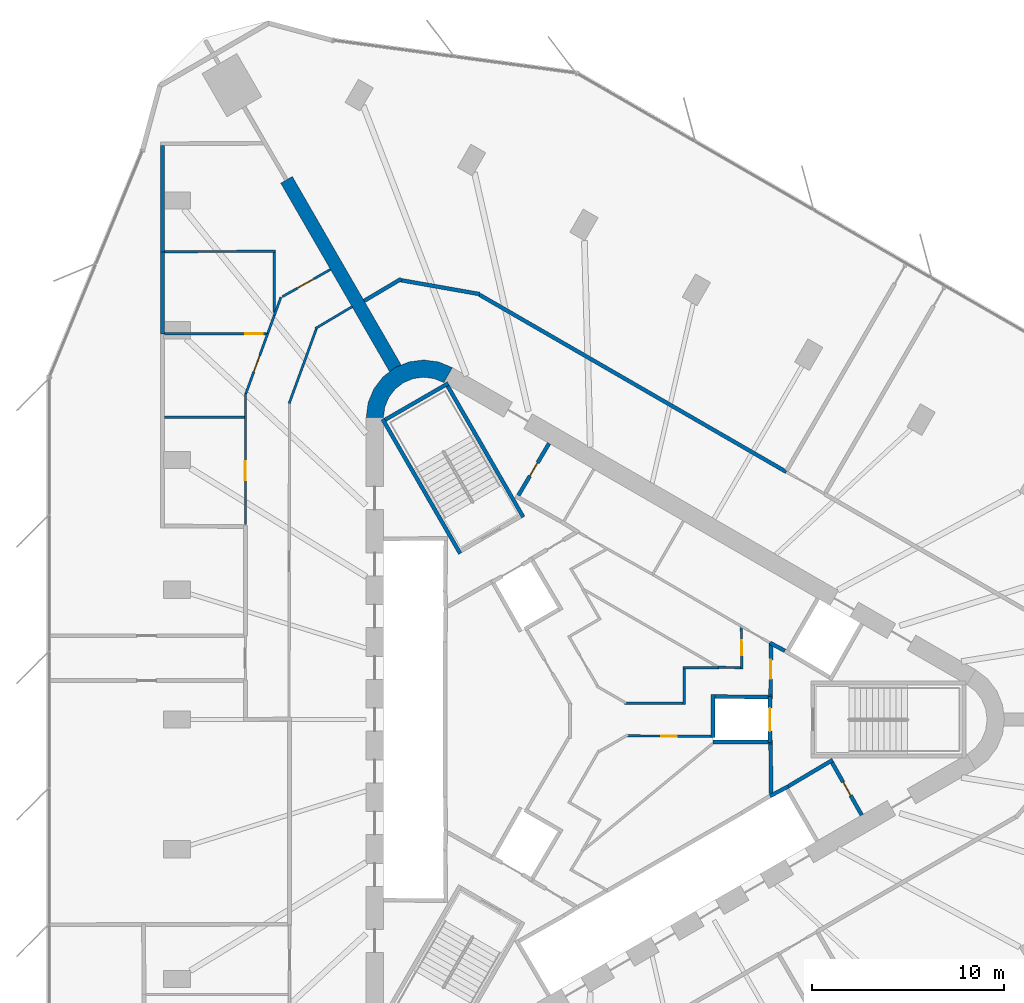
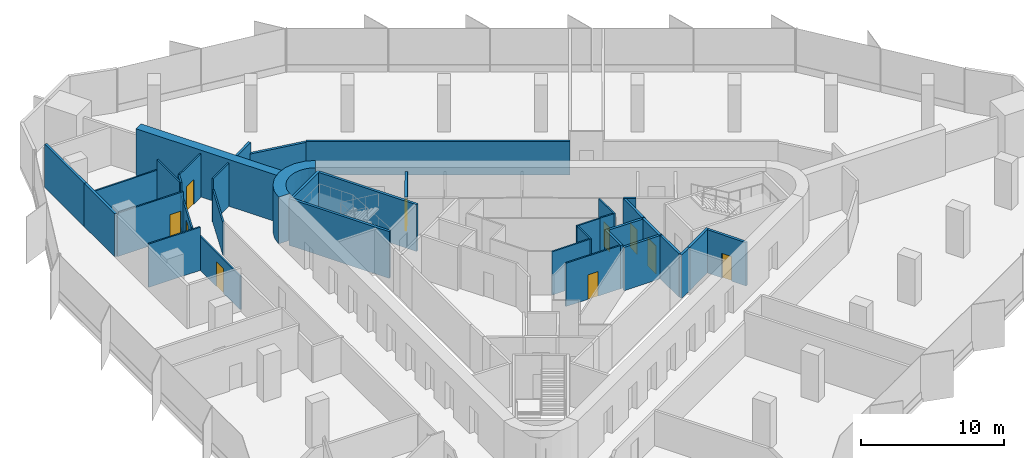
# One storey, part 11 of 14: 38 walls, 10 doors, 10 openings.
"""IFC4 building model written with IfcOpenShell, lengths in metres."""

from ifc_helpers import new_model, si_unit, direction, frame, frame_2d, origin, place, context, subcontext, project, spatial, polyline, rectangle, outline, extrude, material, layer, layer_set, type_object, element, fill, save


model = new_model("IFC4")

# Units and contexts
model_context = context("Model", 3, precision=1e-05, world=origin(), true_north=direction((0.0, 1.0)))
body_context = subcontext(model_context, "Body", "Model", "MODEL_VIEW")
ifc_project = project(units=[si_unit("LENGTHUNIT", "METRE"), si_unit("AREAUNIT", "SQUARE_METRE"), si_unit("VOLUMEUNIT", "CUBIC_METRE"), si_unit("PLANEANGLEUNIT", "RADIAN"), si_unit("MASSUNIT", "GRAM", prefix="KILO")], contexts=[model_context])

# Site, building, storey
site_placement = place(None, origin())
site = spatial("IfcSite", under=ifc_project, at=site_placement, CompositionType="ELEMENT")
building_placement = place(site_placement, origin())
building = spatial("IfcBuilding", under=site, at=building_placement, Name="Tanit Gate Tower", CompositionType="ELEMENT")
storey_placement = place(building_placement, frame((0.0, 0.0, 237.199951171875)))
storey = spatial("IfcBuildingStorey", under=building, at=storey_placement, Name="L53", CompositionType="ELEMENT", Elevation=237.199951171875)

# Walls
ifc_material_1 = material(Name="Concrete C50/60", Category="concrete")
ifc_layer_1 = layer(ifc_material_1, 0.699951171875)
ifc_layer_set_1 = layer_set([ifc_layer_1], Name="BUTTRESS FIN 700 C50/60")
wall_type_1 = type_object("IfcWallType", Name="BUTTRESS FIN 700 C50/60", PredefinedType="SHEAR", material=ifc_layer_set_1)
wall_1_placement = place(storey_placement, frame((-10.574951171875, 18.31640625, 0.0), z_axis=(0.0, 0.0, 1.0), x_axis=(-0.499996344484, 0.866027514288, 0.0)))
element("IfcWall", 1, at=wall_1_placement, inside=storey, type_object=wall_type_1, Name="BUTTRESS FIN", PredefinedType="SHEAR", context=body_context, shape_type="SweptSolid", body=[
    extrude(rectangle(XDim=11.3681640625, YDim=0.699951171875, at=frame_2d((5.68408203125, 0.0))), origin(), (0.0, 0.0, 1.0), 4.0),
])
ifc_material_2 = material(Name="Concrete C50/60", Category="concrete")
ifc_layer_2 = layer(ifc_material_2, 0.89990234375)
ifc_layer_set_2 = layer_set([ifc_layer_2], Name="CORE WALL 900 C50/60")
wall_type_2 = type_object("IfcWallType", Name="CORE WALL 900 C50/60", PredefinedType="SHEAR", material=ifc_layer_set_2)
wall_2_placement = place(storey_placement, origin())
element("IfcWall", 2, at=wall_2_placement, inside=storey, type_object=wall_type_2, Name="CORE WALL CORNER", PredefinedType="SHEAR", context=body_context, shape_type="SweptSolid", body=[
    extrude(outline(polyline([(-7.60009765625, 18.359619140625), (-8.323486328125, 18.659423828125), (-9.10009765625, 18.76171875), (-9.87646484375, 18.659423828125), (-10.60009765625, 18.359619140625), (-11.22119140625, 17.883056640625), (-11.697998046875, 17.26171875), (-11.997802734375, 16.5380859375), (-12.10009765625, 15.76171875), (-11.199951171875, 15.76171875), (-11.12841796875, 16.30517578125), (-10.918701171875, 16.811767578125), (-10.5849609375, 17.24658203125), (-10.14990234375, 17.580322265625), (-9.6435546875, 17.7900390625), (-9.10009765625, 17.86181640625), (-8.556396484375, 17.7900390625), (-8.050048828125, 17.580322265625), (-7.60009765625, 18.359619140625)])), origin(), (0.0, 0.0, 1.0), 4.0),
])
ifc_material_3 = material(Name="Fire-rated gypsum board partition")
ifc_layer_3 = layer(ifc_material_3, 0.199951171875)
ifc_layer_set_3 = layer_set([ifc_layer_3], Name="INT-WALL-COMPARTMENT")
wall_type_3 = type_object("IfcWallType", Name="INT-WALL-COMPARTMENT", PredefinedType="PARTITIONING", material=ifc_layer_set_3)
wall_3_placement = place(storey_placement, frame((8.97412109375, 3.998779296875, 0.0), z_axis=(0.0, 0.0, 1.0), x_axis=(0.880917147855, -0.473270513147, 0.0)))
element("IfcWall", 3, at=wall_3_placement, inside=storey, type_object=wall_type_3, Name="Wall Compartment W050", PredefinedType="PARTITIONING", context=body_context, shape_type="SweptSolid", body=[
    extrude(rectangle(XDim=0.8779296875, YDim=0.199951171875, at=frame_2d((0.43896484375, 0.0))), origin(), (0.0, 0.0, 1.0), 3.699951171875),
])

# Wall, opening, door
wall_4_placement = place(storey_placement, frame((-2.557861328125, 14.409423828125, 0.0), z_axis=(0.0, 0.0, 1.0), x_axis=(-0.508018930956, -0.861345903683, 0.0)))
wall_4 = element("IfcWall", 4, at=wall_4_placement, inside=storey, type_object=wall_type_3, Name="Wall Compartment W058", PredefinedType="PARTITIONING", context=body_context, shape_type="SweptSolid", body=[
    extrude(rectangle(XDim=3.150146484375, YDim=0.199951171875, at=frame_2d((1.5751953125, 0.0))), origin(), (0.0, 0.0, 1.0), 3.699951171875),
])
opening_1_placement = place(wall_4_placement, frame((1.175048828125, 0.0, 0.0)))
opening_1 = element("IfcOpeningElement", 5, at=opening_1_placement, cuts=wall_4, Name="Opening R08-S14-17", PredefinedType="OPENING", context=body_context, shape_type="SweptSolid", body=[
    extrude(rectangle(XDim=0.800048828125, YDim=2.10009765625, at=frame_2d((0.39990234375, 1.050048828125))), frame((0.0, 0.10986328125, 0.0), z_axis=(0.0, -1.0, 0.0), x_axis=(1.0, 0.0, 0.0)), (0.0, 0.0, 1.0), 0.219970703125),
])
ifc_material_4 = material(Name="Timber door leaf", Category="wood")
door_type_1 = type_object("IfcDoorType", Name="INT-DOOR-RISER-800", OperationType="NOTDEFINED", PredefinedType="USERDEFINED", material=ifc_material_4)
door_1_placement = place(opening_1_placement, origin())
door_1 = element("IfcDoor", 6, at=door_1_placement, inside=storey, type_object=door_type_1, Name="Door R08-S14-17", ObjectType="FIRE DOOR", OperationType="SINGLE_SWING_LEFT", OverallHeight=2.10009765625, OverallWidth=0.800048828125, PredefinedType="USERDEFINED", context=body_context, shape_type="SweptSolid", body=[
    extrude(rectangle(XDim=0.800048828125, YDim=2.10009765625, at=frame_2d((0.39990234375, 1.050048828125))), frame((0.0, 0.02490234375, 0.0), z_axis=(0.0, -1.0, 0.0), x_axis=(1.0, 0.0, 0.0)), (0.0, 0.0, 1.0), 0.050048828125),
])
fill(opening_1, door_1)

# Wall
wall_5_placement = place(storey_placement, frame((12.244873046875, -2.10888671875, 0.0), z_axis=(0.0, 0.0, 1.0), x_axis=(-0.860414880418, -0.509594185166, 0.0)))
element("IfcWall", 7, at=wall_5_placement, inside=storey, type_object=wall_type_3, Name="Wall Compartment W059", PredefinedType="PARTITIONING", context=body_context, shape_type="SweptSolid", body=[
    extrude(rectangle(XDim=2.7001953125, YDim=0.199951171875, at=frame_2d((1.35009765625, 0.0))), origin(), (0.0, 0.0, 1.0), 3.699951171875),
])

# Wall, opening, door
wall_6_placement = place(storey_placement, frame((13.758056640625, -4.989501953125, 0.0), z_axis=(0.0, 0.0, 1.0), x_axis=(-0.491993409184, 0.87059892334, 0.0)))
wall_6 = element("IfcWall", 8, at=wall_6_placement, inside=storey, type_object=wall_type_3, Name="Wall Compartment W060", PredefinedType="PARTITIONING", context=body_context, shape_type="SweptSolid", body=[
    extrude(rectangle(XDim=3.150146484375, YDim=0.199951171875, at=frame_2d((1.5751953125, 0.0))), origin(), (0.0, 0.0, 1.0), 3.699951171875),
])
opening_2_placement = place(wall_6_placement, frame((1.175048828125, 0.0, 0.0)))
opening_2 = element("IfcOpeningElement", 9, at=opening_2_placement, cuts=wall_6, Name="Opening R08-S14-18", PredefinedType="OPENING", context=body_context, shape_type="SweptSolid", body=[
    extrude(rectangle(XDim=0.800048828125, YDim=2.10009765625, at=frame_2d((0.39990234375, 1.050048828125))), frame((0.0, 0.10986328125, 0.0), z_axis=(0.0, -1.0, 0.0), x_axis=(1.0, 0.0, 0.0)), (0.0, 0.0, 1.0), 0.219970703125),
])
door_2_placement = place(opening_2_placement, origin())
door_2 = element("IfcDoor", 10, at=door_2_placement, inside=storey, type_object=door_type_1, Name="Door R08-S14-18", ObjectType="FIRE DOOR", OperationType="SINGLE_SWING_LEFT", OverallHeight=2.10009765625, OverallWidth=0.800048828125, PredefinedType="USERDEFINED", context=body_context, shape_type="SweptSolid", body=[
    extrude(rectangle(XDim=0.800048828125, YDim=2.10009765625, at=frame_2d((0.39990234375, 1.050048828125))), frame((0.0, 0.02490234375, 0.0), z_axis=(0.0, -1.0, 0.0), x_axis=(1.0, 0.0, 0.0)), (0.0, 0.0, 1.0), 0.050048828125),
])
fill(opening_2, door_2)

# Wall
wall_7_placement = place(storey_placement, frame((9.02880859375, -3.8505859375, 0.0), z_axis=(0.0, 0.0, 1.0), x_axis=(-0.010784614026, 0.999941844359, 0.0)))
element("IfcWall", 11, at=wall_7_placement, inside=storey, type_object=wall_type_3, Name="Wall Compartment W061", PredefinedType="PARTITIONING", context=body_context, shape_type="SweptSolid", body=[
    extrude(rectangle(XDim=2.580810546875, YDim=0.199951171875, at=frame_2d((1.29052734375, 0.0))), origin(), (0.0, 0.0, 1.0), 3.699951171875),
])

# Wall, opening, door
wall_8_placement = place(storey_placement, frame((9.0009765625, 1.27001953125, 0.0), z_axis=(0.0, 0.0, 1.0), x_axis=(0.010723968736, 0.999942496594, 0.0)))
wall_8 = element("IfcWall", 12, at=wall_8_placement, inside=storey, type_object=wall_type_3, Name="Wall Compartment W062", PredefinedType="PARTITIONING", context=body_context, shape_type="SweptSolid", body=[
    extrude(rectangle(XDim=2.709228515625, YDim=0.199951171875, at=frame_2d((1.3544921875, 0.0))), origin(), (0.0, 0.0, 1.0), 3.699951171875),
])
opening_3_placement = place(wall_8_placement, frame((0.848388671875, 0.0, 0.0)))
opening_3 = element("IfcOpeningElement", 13, at=opening_3_placement, cuts=wall_8, Name="Opening F10-S14-02", PredefinedType="OPENING", context=body_context, shape_type="SweptSolid", body=[
    extrude(rectangle(XDim=1.0, YDim=2.10009765625, at=frame_2d((0.5, 1.050048828125))), frame((0.0, 0.10986328125, 0.0), z_axis=(0.0, -1.0, 0.0), x_axis=(1.0, 0.0, 0.0)), (0.0, 0.0, 1.0), 0.219970703125),
])
ifc_material_5 = material(Name="Fire-rated steel door leaf", Category="steel")
door_type_2 = type_object("IfcDoorType", Name="INT-DOOR-FIRE-1000", OperationType="NOTDEFINED", PredefinedType="USERDEFINED", material=ifc_material_5)
door_3_placement = place(opening_3_placement, origin())
door_3 = element("IfcDoor", 14, at=door_3_placement, inside=storey, type_object=door_type_2, Name="Door F10-S14-02", ObjectType="FIRE DOOR", OperationType="SINGLE_SWING_RIGHT", OverallHeight=2.10009765625, OverallWidth=1.0, PredefinedType="USERDEFINED", context=body_context, shape_type="SweptSolid", body=[
    extrude(rectangle(XDim=1.0, YDim=2.10009765625, at=frame_2d((0.5, 1.050048828125))), frame((0.0, 0.02490234375, 0.0), z_axis=(0.0, -1.0, 0.0), x_axis=(1.0, 0.0, 0.0)), (0.0, 0.0, 1.0), 0.050048828125),
])
fill(opening_3, door_3)

# Walls
wall_9_placement = place(storey_placement, frame((-10.26513671875, 22.995849609375, 0.0), z_axis=(0.0, 0.0, 1.0), x_axis=(-0.859934823121, -0.510403859687, 0.0)))
element("IfcWall", 15, at=wall_9_placement, inside=storey, type_object=wall_type_3, Name="Wall Compartment W109", PredefinedType="PARTITIONING", context=body_context, shape_type="SweptSolid", body=[
    extrude(rectangle(XDim=2.25830078125, YDim=0.199951171875, at=frame_2d((1.129150390625, 0.0))), origin(), (0.0, 0.0, 1.0), 3.699951171875),
])
wall_10_placement = place(storey_placement, frame((-6.18115234375, 22.19873046875, 0.0), z_axis=(0.0, 0.0, 1.0), x_axis=(-0.984807544765, 0.17364935869, 0.0)))
element("IfcWall", 16, at=wall_10_placement, inside=storey, type_object=wall_type_3, Name="Wall Compartment W110", PredefinedType="PARTITIONING", context=body_context, shape_type="SweptSolid", body=[
    extrude(rectangle(XDim=4.199462890625, YDim=0.199951171875, at=frame_2d((2.099609375, 0.0))), origin(), (0.0, 0.0, 1.0), 2.780029296875),
])
wall_11_placement = place(storey_placement, frame((9.825439453125, 12.91796875, 0.0), z_axis=(0.0, 0.0, 1.0), x_axis=(-0.866022708987, 0.500004667497, 0.0)))
element("IfcWall", 17, at=wall_11_placement, inside=storey, type_object=wall_type_3, Name="Wall Compartment W111", PredefinedType="PARTITIONING", context=body_context, shape_type="SweptSolid", body=[
    extrude(rectangle(XDim=18.496337890625, YDim=0.199951171875, at=frame_2d((9.248046875, 0.0))), origin(), (0.0, 0.0, 1.0), 2.880126953125),
])
wall_12_placement = place(storey_placement, frame((-22.72998046875, 20.124267578125, 0.0), z_axis=(0.0, 0.0, 1.0), x_axis=(0.0, 1.0, 0.0)))
element("IfcWall", 18, at=wall_12_placement, inside=storey, type_object=wall_type_3, Name="Wall Compartment W142", PredefinedType="PARTITIONING", context=body_context, shape_type="SweptSolid", body=[
    extrude(rectangle(XDim=4.2822265625, YDim=0.199951171875, at=frame_2d((2.14111328125, 0.0))), origin(), (0.0, 0.0, 1.0), 3.699951171875),
])
wall_13_placement = place(storey_placement, frame((-22.72998046875, 24.406494140625, 0.0), z_axis=(0.0, 0.0, 1.0), x_axis=(0.0, 1.0, 0.0)))
element("IfcWall", 19, at=wall_13_placement, inside=storey, type_object=wall_type_3, Name="Wall Compartment W144", PredefinedType="PARTITIONING", context=body_context, shape_type="SweptSolid", body=[
    extrude(rectangle(XDim=5.533447265625, YDim=0.199951171875, at=frame_2d((2.7666015625, 0.0))), origin(), (0.0, 0.0, 1.0), 3.699951171875),
])

# Wall, opening, door
ifc_material_6 = material(Name="Gypsum board partition")
ifc_layer_4 = layer(ifc_material_6, 0.1201171875)
ifc_layer_set_4 = layer_set([ifc_layer_4], Name="INT-WALL-PARTITION")
wall_type_4 = type_object("IfcWallType", Name="INT-WALL-PARTITION", PredefinedType="PARTITIONING", material=ifc_layer_set_4)
wall_14_placement = place(storey_placement, frame((5.89990234375, -0.87890625, 0.0), z_axis=(0.0, 0.0, 1.0), x_axis=(-0.999978650839, 0.006534360439, 0.0)))
wall_14 = element("IfcWall", 20, at=wall_14_placement, inside=storey, type_object=wall_type_4, Name="Wall Partition W077", PredefinedType="PARTITIONING", context=body_context, shape_type="SweptSolid", body=[
    extrude(rectangle(XDim=4.40869140625, YDim=0.1201171875, at=frame_2d((2.204345703125, 0.0))), origin(), (0.0, 0.0, 1.0), 3.699951171875),
])
opening_4_placement = place(wall_14_placement, frame((1.804443359375, 0.0, 0.0)))
opening_4 = element("IfcOpeningElement", 21, at=opening_4_placement, cuts=wall_14, Name="Opening R08-S14-12", PredefinedType="OPENING", context=body_context, shape_type="SweptSolid", body=[
    extrude(rectangle(XDim=0.800048828125, YDim=2.10009765625, at=frame_2d((0.39990234375, 1.050048828125))), frame((0.0, 0.070068359375, 0.0), z_axis=(0.0, -1.0, 0.0), x_axis=(1.0, 0.0, 0.0)), (0.0, 0.0, 1.0), 0.14013671875),
])
door_4_placement = place(opening_4_placement, origin())
door_4 = element("IfcDoor", 22, at=door_4_placement, inside=storey, type_object=door_type_1, Name="Door R08-S14-12", ObjectType="FIRE DOOR", OperationType="SINGLE_SWING_LEFT", OverallHeight=2.10009765625, OverallWidth=0.800048828125, PredefinedType="USERDEFINED", context=body_context, shape_type="SweptSolid", body=[
    extrude(rectangle(XDim=0.800048828125, YDim=2.10009765625, at=frame_2d((0.39990234375, 1.050048828125))), frame((0.0, 0.02490234375, 0.0), z_axis=(0.0, -1.0, 0.0), x_axis=(1.0, 0.0, 0.0)), (0.0, 0.0, 1.0), 0.050048828125),
])
fill(opening_4, door_4)

wall_15_placement = place(storey_placement, frame((7.500732421875, 2.639892578125, 0.0), z_axis=(0.0, 0.0, 1.0), x_axis=(-0.01178388431, 0.999930567625, 0.0)))
wall_15 = element("IfcWall", 23, at=wall_15_placement, inside=storey, type_object=wall_type_4, Name="Wall Partition W081", PredefinedType="PARTITIONING", context=body_context, shape_type="SweptSolid", body=[
    extrude(rectangle(XDim=2.15478515625, YDim=0.1201171875, at=frame_2d((1.077392578125, 0.0))), origin(), (0.0, 0.0, 1.0), 3.699951171875),
])
opening_5_placement = place(wall_15_placement, frame((0.707275390625, 0.0, 0.0)))
opening_5 = element("IfcOpeningElement", 24, at=opening_5_placement, cuts=wall_15, Name="Opening R08-S14-13", PredefinedType="OPENING", context=body_context, shape_type="SweptSolid", body=[
    extrude(rectangle(XDim=0.800048828125, YDim=2.10009765625, at=frame_2d((0.39990234375, 1.050048828125))), frame((0.0, 0.070068359375, 0.0), z_axis=(0.0, -1.0, 0.0), x_axis=(1.0, 0.0, 0.0)), (0.0, 0.0, 1.0), 0.14013671875),
])
door_5_placement = place(opening_5_placement, origin())
door_5 = element("IfcDoor", 25, at=door_5_placement, inside=storey, type_object=door_type_1, Name="Door R08-S14-13", ObjectType="FIRE DOOR", OperationType="SINGLE_SWING_RIGHT", OverallHeight=2.10009765625, OverallWidth=0.800048828125, PredefinedType="USERDEFINED", context=body_context, shape_type="SweptSolid", body=[
    extrude(rectangle(XDim=0.800048828125, YDim=2.10009765625, at=frame_2d((0.39990234375, 1.050048828125))), frame((0.0, 0.02490234375, 0.0), z_axis=(0.0, -1.0, 0.0), x_axis=(1.0, 0.0, 0.0)), (0.0, 0.0, 1.0), 0.050048828125),
])
fill(opening_5, door_5)

# Walls
wall_16_placement = place(storey_placement, frame((6.249267578125, 2.7294921875, 0.0), z_axis=(0.0, 0.0, 1.0), x_axis=(0.999722106037, -0.023573516956, 0.0)))
element("IfcWall", 26, at=wall_16_placement, inside=storey, type_object=wall_type_4, Name="Wall Partition W082", PredefinedType="PARTITIONING", context=body_context, shape_type="SweptSolid", body=[
    extrude(rectangle(XDim=1.19091796875, YDim=0.1201171875, at=frame_2d((0.595458984375, 0.0))), origin(), (0.0, 0.0, 1.0), 3.699951171875),
])
wall_17_placement = place(storey_placement, frame((4.43994140625, 2.699951171875, 0.0), z_axis=(0.0, 0.0, 1.0), x_axis=(1.0, 0.0, 0.0)))
element("IfcWall", 27, at=wall_17_placement, inside=storey, type_object=wall_type_4, Name="Wall Partition W083", PredefinedType="PARTITIONING", context=body_context, shape_type="SweptSolid", body=[
    extrude(rectangle(XDim=1.8603515625, YDim=0.1201171875, at=frame_2d((0.93017578125, 0.0))), origin(), (0.0, 0.0, 1.0), 3.699951171875),
])
wall_18_placement = place(storey_placement, frame((4.5, 0.7900390625, 0.0), z_axis=(0.0, 0.0, 1.0), x_axis=(0.0, 1.0, 0.0)))
element("IfcWall", 28, at=wall_18_placement, inside=storey, type_object=wall_type_4, Name="Wall Partition W084", PredefinedType="PARTITIONING", context=body_context, shape_type="SweptSolid", body=[
    extrude(rectangle(XDim=1.849853515625, YDim=0.1201171875, at=frame_2d((0.9248046875, 0.0))), origin(), (0.0, 0.0, 1.0), 3.699951171875),
])
wall_19_placement = place(storey_placement, frame((1.368408203125, 0.85009765625, 0.0), z_axis=(0.0, 0.0, 1.0), x_axis=(1.0, 0.0, 0.0)))
element("IfcWall", 29, at=wall_19_placement, inside=storey, type_object=wall_type_4, Name="Wall Partition W085", PredefinedType="PARTITIONING", context=body_context, shape_type="SweptSolid", body=[
    extrude(rectangle(XDim=3.071533203125, YDim=0.1201171875, at=frame_2d((1.53564453125, 0.0))), origin(), (0.0, 0.0, 1.0), 3.699951171875),
])
wall_20_placement = place(storey_placement, frame((-12.839111328125, 21.5380859375, 0.0), z_axis=(0.0, 0.0, 1.0), x_axis=(-0.859953000024, -0.510373233771, 0.0)))
element("IfcWall", 30, at=wall_20_placement, inside=storey, type_object=wall_type_4, Name="Wall Partition W090", PredefinedType="PARTITIONING", context=body_context, shape_type="SweptSolid", body=[
    extrude(rectangle(XDim=2.21533203125, YDim=0.1201171875, at=frame_2d((1.107666015625, 0.0))), origin(), (0.0, 0.0, 1.0), 3.699951171875),
])
wall_21_placement = place(storey_placement, frame((-14.690673828125, 20.418701171875, 0.0), z_axis=(0.0, 0.0, 1.0), x_axis=(-0.342019678743, -0.93969278988, 0.0)))
element("IfcWall", 31, at=wall_21_placement, inside=storey, type_object=wall_type_4, Name="Wall Partition W091", PredefinedType="PARTITIONING", context=body_context, shape_type="SweptSolid", body=[
    extrude(rectangle(XDim=4.180908203125, YDim=0.1201171875, at=frame_2d((2.09033203125, 0.0))), origin(), (0.0, 0.0, 1.0), 2.780029296875),
])

# Wall, opening, door
wall_22_placement = place(storey_placement, frame((-18.39990234375, 17.011962890625, 0.0), z_axis=(0.0, 0.0, 1.0), x_axis=(0.0, -1.0, 0.0)))
wall_22 = element("IfcWall", 32, at=wall_22_placement, inside=storey, type_object=wall_type_4, Name="Wall Partition W098", PredefinedType="PARTITIONING", context=body_context, shape_type="SweptSolid", body=[
    extrude(rectangle(XDim=6.842041015625, YDim=0.1201171875, at=frame_2d((3.4208984375, 0.0))), origin(), (0.0, 0.0, 1.0), 2.880126953125),
])
opening_6_placement = place(wall_22_placement, frame((3.538818359375, 0.0, 0.0)))
opening_6 = element("IfcOpeningElement", 33, at=opening_6_placement, cuts=wall_22, Name="Opening D10-S14-23", PredefinedType="OPENING", context=body_context, shape_type="SweptSolid", body=[
    extrude(rectangle(XDim=1.0, YDim=2.10009765625, at=frame_2d((0.5, 1.050048828125))), frame((0.0, 0.070068359375, 0.0), z_axis=(0.0, -1.0, 0.0), x_axis=(1.0, 0.0, 0.0)), (0.0, 0.0, 1.0), 0.14013671875),
])
ifc_material_7 = material(Name="Timber door leaf", Category="wood")
door_type_3 = type_object("IfcDoorType", Name="INT-DOOR-SINGLE-1000", OperationType="NOTDEFINED", PredefinedType="NOTDEFINED", material=ifc_material_7)
door_6_placement = place(opening_6_placement, origin())
door_6 = element("IfcDoor", 34, at=door_6_placement, inside=storey, type_object=door_type_3, Name="Door D10-S14-23", OperationType="SINGLE_SWING_RIGHT", OverallHeight=2.10009765625, OverallWidth=1.0, PredefinedType="NOTDEFINED", context=body_context, shape_type="SweptSolid", body=[
    extrude(rectangle(XDim=1.0, YDim=2.10009765625, at=frame_2d((0.5, 1.050048828125))), frame((0.0, 0.02490234375, 0.0), z_axis=(0.0, -1.0, 0.0), x_axis=(1.0, 0.0, 0.0)), (0.0, 0.0, 1.0), 0.050048828125),
])
fill(opening_6, door_6)

# Walls
wall_23_placement = place(storey_placement, frame((-16.548583984375, 22.038818359375, 0.0), z_axis=(0.0, 0.0, 1.0), x_axis=(-0.34206932631, -0.939674718186, 0.0)))
element("IfcWall", 35, at=wall_23_placement, inside=storey, type_object=wall_type_4, Name="Wall Partition W101", PredefinedType="PARTITIONING", context=body_context, shape_type="SweptSolid", body=[
    extrude(rectangle(XDim=1.021240234375, YDim=0.1201171875, at=frame_2d((0.5107421875, 0.0))), origin(), (0.0, 0.0, 1.0), 3.699951171875),
])
wall_24_placement = place(storey_placement, frame((-16.89794921875, 21.0791015625, 0.0), z_axis=(0.0, 0.0, 1.0), x_axis=(-0.341879433665, -0.939743822984, 0.0)))
element("IfcWall", 36, at=wall_24_placement, inside=storey, type_object=wall_type_4, Name="Wall Partition W100", PredefinedType="PARTITIONING", context=body_context, shape_type="SweptSolid", body=[
    extrude(rectangle(XDim=1.006103515625, YDim=0.1201171875, at=frame_2d((0.5029296875, 0.0))), origin(), (0.0, 0.0, 1.0), 2.780029296875),
])

# Wall, opening, door
wall_25_placement = place(storey_placement, frame((-17.241943359375, 20.133544921875, 0.0), z_axis=(0.0, 0.0, 1.0), x_axis=(-0.34200828308, -0.939696937478, 0.0)))
wall_25 = element("IfcWall", 37, at=wall_25_placement, inside=storey, type_object=wall_type_4, Name="Wall Partition W099", PredefinedType="PARTITIONING", context=body_context, shape_type="SweptSolid", body=[
    extrude(rectangle(XDim=3.32568359375, YDim=0.1201171875, at=frame_2d((1.662841796875, 0.0))), origin(), (0.0, 0.0, 1.0), 2.880126953125),
])
opening_7_placement = place(wall_25_placement, frame((1.212890625, 0.0, 0.0)))
opening_7 = element("IfcOpeningElement", 38, at=opening_7_placement, cuts=wall_25, Name="Opening D09-S14-24", PredefinedType="OPENING", context=body_context, shape_type="SweptSolid", body=[
    extrude(rectangle(XDim=0.89990234375, YDim=2.10009765625, at=frame_2d((0.449951171875, 1.050048828125))), frame((0.0, 0.070068359375, 0.0), z_axis=(0.0, -1.0, 0.0), x_axis=(1.0, 0.0, 0.0)), (0.0, 0.0, 1.0), 0.14013671875),
])
ifc_material_8 = material(Name="Timber door leaf", Category="wood")
door_type_4 = type_object("IfcDoorType", Name="INT-DOOR-SINGLE-900", OperationType="NOTDEFINED", PredefinedType="NOTDEFINED", material=ifc_material_8)
door_7_placement = place(opening_7_placement, origin())
door_7 = element("IfcDoor", 39, at=door_7_placement, inside=storey, type_object=door_type_4, Name="Door D09-S14-24", OperationType="SINGLE_SWING_LEFT", OverallHeight=2.10009765625, OverallWidth=0.89990234375, PredefinedType="NOTDEFINED", context=body_context, shape_type="SweptSolid", body=[
    extrude(rectangle(XDim=0.89990234375, YDim=2.10009765625, at=frame_2d((0.449951171875, 1.050048828125))), frame((0.0, 0.02490234375, 0.0), z_axis=(0.0, -1.0, 0.0), x_axis=(1.0, 0.0, 0.0)), (0.0, 0.0, 1.0), 0.050048828125),
])
fill(opening_7, door_7)

wall_26_placement = place(storey_placement, frame((-13.962890625, 23.484375, 0.0), z_axis=(0.0, 0.0, 1.0), x_axis=(-0.870462007122, -0.49223560838, 0.0)))
wall_26 = element("IfcWall", 40, at=wall_26_placement, inside=storey, type_object=wall_type_4, Name="Wall Partition W102", PredefinedType="PARTITIONING", context=body_context, shape_type="SweptSolid", body=[
    extrude(rectangle(XDim=2.88671875, YDim=0.1201171875, at=frame_2d((1.443359375, 0.0))), origin(), (0.0, 0.0, 1.0), 3.699951171875),
])
opening_8_placement = place(wall_26_placement, frame((0.993408203125, 0.0, 0.0)))
opening_8 = element("IfcOpeningElement", 41, at=opening_8_placement, cuts=wall_26, Name="Opening D10-S14-26", PredefinedType="OPENING", context=body_context, shape_type="SweptSolid", body=[
    extrude(rectangle(XDim=1.0, YDim=2.10009765625, at=frame_2d((0.5, 1.050048828125))), frame((0.0, 0.070068359375, 0.0), z_axis=(0.0, -1.0, 0.0), x_axis=(1.0, 0.0, 0.0)), (0.0, 0.0, 1.0), 0.14013671875),
])
door_8_placement = place(opening_8_placement, origin())
door_8 = element("IfcDoor", 42, at=door_8_placement, inside=storey, type_object=door_type_3, Name="Door D10-S14-26", OperationType="SINGLE_SWING_LEFT", OverallHeight=2.10009765625, OverallWidth=1.0, PredefinedType="NOTDEFINED", context=body_context, shape_type="SweptSolid", body=[
    extrude(rectangle(XDim=1.0, YDim=2.10009765625, at=frame_2d((0.5, 1.050048828125))), frame((0.0, 0.02490234375, 0.0), z_axis=(0.0, -1.0, 0.0), x_axis=(1.0, 0.0, 0.0)), (0.0, 0.0, 1.0), 0.050048828125),
])
fill(opening_8, door_8)

# Wall
wall_27_placement = place(storey_placement, frame((-18.4599609375, 15.7763671875, 0.0), z_axis=(0.0, 0.0, 1.0), x_axis=(-1.0, 0.0, 0.0)))
element("IfcWall", 43, at=wall_27_placement, inside=storey, type_object=wall_type_4, Name="Wall Partition W153", PredefinedType="PARTITIONING", context=body_context, shape_type="SweptSolid", body=[
    extrude(rectangle(XDim=4.169921875, YDim=0.1201171875, at=frame_2d((2.0849609375, 0.0))), origin(), (0.0, 0.0, 1.0), 3.699951171875),
])

# Wall, opening, door
wall_28_placement = place(storey_placement, frame((-22.6298828125, 20.124267578125, 0.0), z_axis=(0.0, 0.0, 1.0), x_axis=(1.0, 0.0, 0.0)))
wall_28 = element("IfcWall", 44, at=wall_28_placement, inside=storey, type_object=wall_type_4, Name="Wall Partition W154", PredefinedType="PARTITIONING", context=body_context, shape_type="SweptSolid", body=[
    extrude(rectangle(XDim=5.320556640625, YDim=0.1201171875, at=frame_2d((2.66015625, 0.0))), origin(), (0.0, 0.0, 1.0), 3.699951171875),
])
opening_9_placement = place(wall_28_placement, frame((4.220703125, 0.0, 0.0)))
opening_9 = element("IfcOpeningElement", 45, at=opening_9_placement, cuts=wall_28, Name="Opening D09-S14-25", PredefinedType="OPENING", context=body_context, shape_type="SweptSolid", body=[
    extrude(rectangle(XDim=0.89990234375, YDim=2.10009765625, at=frame_2d((0.449951171875, 1.050048828125))), frame((0.0, 0.070068359375, 0.0), z_axis=(0.0, -1.0, 0.0), x_axis=(1.0, 0.0, 0.0)), (0.0, 0.0, 1.0), 0.14013671875),
])
door_9_placement = place(opening_9_placement, origin())
door_9 = element("IfcDoor", 46, at=door_9_placement, inside=storey, type_object=door_type_4, Name="Door D09-S14-25", OperationType="SINGLE_SWING_RIGHT", OverallHeight=2.10009765625, OverallWidth=0.89990234375, PredefinedType="NOTDEFINED", context=body_context, shape_type="SweptSolid", body=[
    extrude(rectangle(XDim=0.89990234375, YDim=2.10009765625, at=frame_2d((0.449951171875, 1.050048828125))), frame((0.0, 0.02490234375, 0.0), z_axis=(0.0, -1.0, 0.0), x_axis=(1.0, 0.0, 0.0)), (0.0, 0.0, 1.0), 0.050048828125),
])
fill(opening_9, door_9)

# Walls
wall_29_placement = place(storey_placement, frame((-22.6298828125, 24.406982421875, 0.0), z_axis=(0.0, 0.0, 1.0), x_axis=(0.999986767717, 0.005144355288, 0.0)))
element("IfcWall", 47, at=wall_29_placement, inside=storey, type_object=wall_type_4, Name="Wall Partition W155", PredefinedType="PARTITIONING", context=body_context, shape_type="SweptSolid", body=[
    extrude(rectangle(XDim=5.789794921875, YDim=0.1201171875, at=frame_2d((2.89501953125, 0.0))), origin(), (0.0, 0.0, 1.0), 2.780029296875),
])
wall_30_placement = place(storey_placement, frame((-16.90478515625, 21.23046875, 0.0), z_axis=(0.0, 0.0, 1.0), x_axis=(0.001474466813, 0.999998912973, 0.0)))
element("IfcWall", 48, at=wall_30_placement, inside=storey, type_object=wall_type_4, Name="Wall Partition W156", PredefinedType="PARTITIONING", context=body_context, shape_type="SweptSolid", body=[
    extrude(rectangle(XDim=3.14599609375, YDim=0.1201171875, at=frame_2d((1.572998046875, 0.0))), origin(), (0.0, 0.0, 1.0), 3.699951171875),
])
ifc_material_9 = material(Name="Gypsum shaft wall system")
ifc_layer_5 = layer(ifc_material_9, 0.199951171875)
ifc_layer_set_5 = layer_set([ifc_layer_5], Name="INT-WALL-SHAFT")
wall_type_5 = type_object("IfcWallType", Name="INT-WALL-SHAFT", PredefinedType="PLUMBINGWALL", material=ifc_layer_set_5)
wall_31_placement = place(storey_placement, frame((8.97412109375, -3.998779296875, 0.0), z_axis=(0.0, 0.0, 1.0), x_axis=(0.880907015104, 0.473289373154, 0.0)))
element("IfcWall", 49, at=wall_31_placement, inside=storey, type_object=wall_type_5, Name="Wall Shaft W017", PredefinedType="PLUMBINGWALL", context=body_context, shape_type="SweptSolid", body=[
    extrude(rectangle(XDim=1.078125, YDim=0.199951171875, at=frame_2d((0.5390625, 0.0))), origin(), (0.0, 0.0, 1.0), 3.699951171875),
])

# Wall, opening, door
wall_32_placement = place(storey_placement, frame((8.969970703125, 1.199951171875, 0.0), z_axis=(0.0, 0.0, 1.0), x_axis=(0.0, -1.0, 0.0)))
wall_32 = element("IfcWall", 50, at=wall_32_placement, inside=storey, type_object=wall_type_5, Name="Wall Shaft W029", PredefinedType="PLUMBINGWALL", context=body_context, shape_type="SweptSolid", body=[
    extrude(rectangle(XDim=2.39990234375, YDim=0.199951171875, at=frame_2d((1.199951171875, 0.0))), origin(), (0.0, 0.0, 1.0), 3.699951171875),
])
opening_10_placement = place(wall_32_placement, frame((0.60009765625, 0.0, 0.0)))
opening_10 = element("IfcOpeningElement", 51, at=opening_10_placement, cuts=wall_32, Name="Opening LDFL1-L53", PredefinedType="OPENING", context=body_context, shape_type="SweptSolid", body=[
    extrude(rectangle(XDim=1.199951171875, YDim=2.39990234375, at=frame_2d((0.60009765625, 1.199951171875))), frame((0.0, 0.10986328125, 0.0), z_axis=(0.0, -1.0, 0.0), x_axis=(1.0, 0.0, 0.0)), (0.0, 0.0, 1.0), 0.219970703125),
])
ifc_material_10 = material(Name="Stainless steel sliding door leaf", Category="steel")
door_type_5 = type_object("IfcDoorType", Name="INT-DOOR-LANDING-1200", OperationType="NOTDEFINED", PredefinedType="USERDEFINED", material=ifc_material_10)
door_10_placement = place(opening_10_placement, origin())
door_10 = element("IfcDoor", 52, at=door_10_placement, inside=storey, type_object=door_type_5, Name="Door LDFL1-L53", ObjectType="LANDING DOOR", OperationType="SLIDING_TO_LEFT", OverallHeight=2.39990234375, OverallWidth=1.199951171875, PredefinedType="USERDEFINED", context=body_context, shape_type="SweptSolid", body=[
    extrude(rectangle(XDim=1.199951171875, YDim=2.39990234375, at=frame_2d((0.60009765625, 1.199951171875))), frame((0.0, 0.02490234375, 0.0), z_axis=(0.0, -1.0, 0.0), x_axis=(1.0, 0.0, 0.0)), (0.0, 0.0, 1.0), 0.050048828125),
])
fill(opening_10, door_10)

# Walls
wall_33_placement = place(storey_placement, frame((9.10009765625, -1.169921875, 0.0), z_axis=(0.0, 0.0, 1.0), x_axis=(-0.999998759609, -0.001575049235, 0.0)))
element("IfcWall", 53, at=wall_33_placement, inside=storey, type_object=wall_type_5, Name="Wall Shaft W030", PredefinedType="PLUMBINGWALL", context=body_context, shape_type="SweptSolid", body=[
    extrude(rectangle(XDim=3.10009765625, YDim=0.199951171875, at=frame_2d((1.550048828125, 0.0))), origin(), (0.0, 0.0, 1.0), 3.699951171875),
])
wall_34_placement = place(storey_placement, frame((6.0, -0.939453125, 0.0), z_axis=(0.0, 0.0, 1.0), x_axis=(0.0, 1.0, 0.0)))
element("IfcWall", 54, at=wall_34_placement, inside=storey, type_object=wall_type_5, Name="Wall Shaft W031", PredefinedType="PLUMBINGWALL", context=body_context, shape_type="SweptSolid", body=[
    extrude(rectangle(XDim=2.239501953125, YDim=0.199951171875, at=frame_2d((1.11962890625, 0.0))), origin(), (0.0, 0.0, 1.0), 3.699951171875),
])
wall_35_placement = place(storey_placement, frame((9.10009765625, 1.1689453125, 0.0), z_axis=(0.0, 0.0, 1.0), x_axis=(-0.99994990606, 0.010009264196, 0.0)))
element("IfcWall", 55, at=wall_35_placement, inside=storey, type_object=wall_type_5, Name="Wall Shaft W032", PredefinedType="PLUMBINGWALL", context=body_context, shape_type="SweptSolid", body=[
    extrude(rectangle(XDim=3.000244140625, YDim=0.199951171875, at=frame_2d((1.5, 0.0))), origin(), (0.0, 0.0, 1.0), 3.699951171875),
])
ifc_material_11 = material(Name="Concrete C40/50", Category="concrete")
ifc_layer_6 = layer(ifc_material_11, 0.199951171875)
ifc_layer_set_6 = layer_set([ifc_layer_6], Name="INT-WALL-STAIR")
wall_type_6 = type_object("IfcWallType", Name="INT-WALL-STAIR", PredefinedType="SHEAR", material=ifc_layer_set_6)
wall_36_placement = place(storey_placement, frame((-11.245361328125, 15.677734375, -0.300048828125), z_axis=(0.0, 0.0, 1.0), x_axis=(0.499977274689, -0.866038523851, 0.0)))
element("IfcWall", 56, at=wall_36_placement, inside=storey, type_object=wall_type_6, Name="Wall Stair W033", PredefinedType="SHEAR", context=body_context, shape_type="SweptSolid", body=[
    extrude(rectangle(XDim=8.10009765625, YDim=0.199951171875, at=frame_2d((4.050048828125, 0.0))), origin(), (0.0, 0.0, 1.0), 4.0),
])
wall_37_placement = place(storey_placement, frame((-7.81787109375, 17.541015625, -0.300048828125), z_axis=(0.0, 0.0, 1.0), x_axis=(-0.866044365799, -0.499967155389, 0.0)))
element("IfcWall", 57, at=wall_37_placement, inside=storey, type_object=wall_type_6, Name="Wall Stair W034", PredefinedType="SHEAR", context=body_context, shape_type="SweptSolid", body=[
    extrude(rectangle(XDim=3.800048828125, YDim=0.199951171875, at=frame_2d((1.89990234375, 0.0))), origin(), (0.0, 0.0, 1.0), 4.0),
])
wall_38_placement = place(storey_placement, frame((-7.8544921875, 17.404541015625, -0.300048828125), z_axis=(0.0, 0.0, 1.0), x_axis=(0.499997992926, -0.866026562566, 0.0)))
element("IfcWall", 58, at=wall_38_placement, inside=storey, type_object=wall_type_6, Name="Wall Stair W035", PredefinedType="SHEAR", context=body_context, shape_type="SweptSolid", body=[
    extrude(rectangle(XDim=7.89990234375, YDim=0.199951171875, at=frame_2d((3.949951171875, 0.0))), origin(), (0.0, 0.0, 1.0), 4.0),
])

save(model, "model.ifc")
